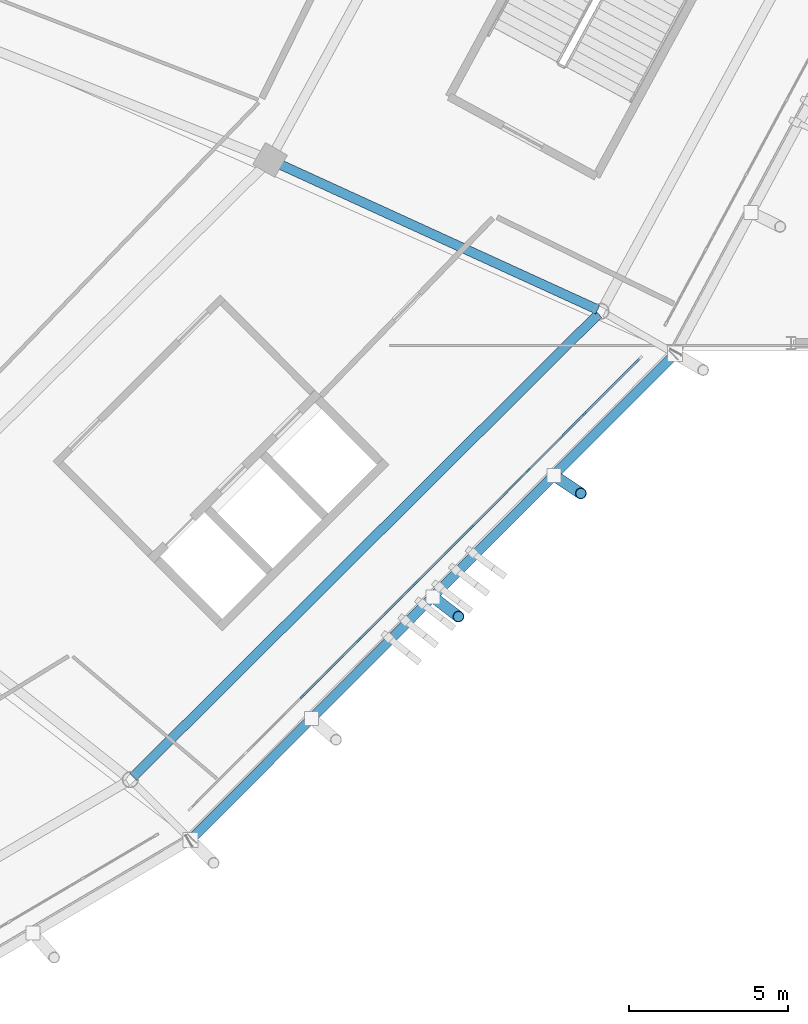
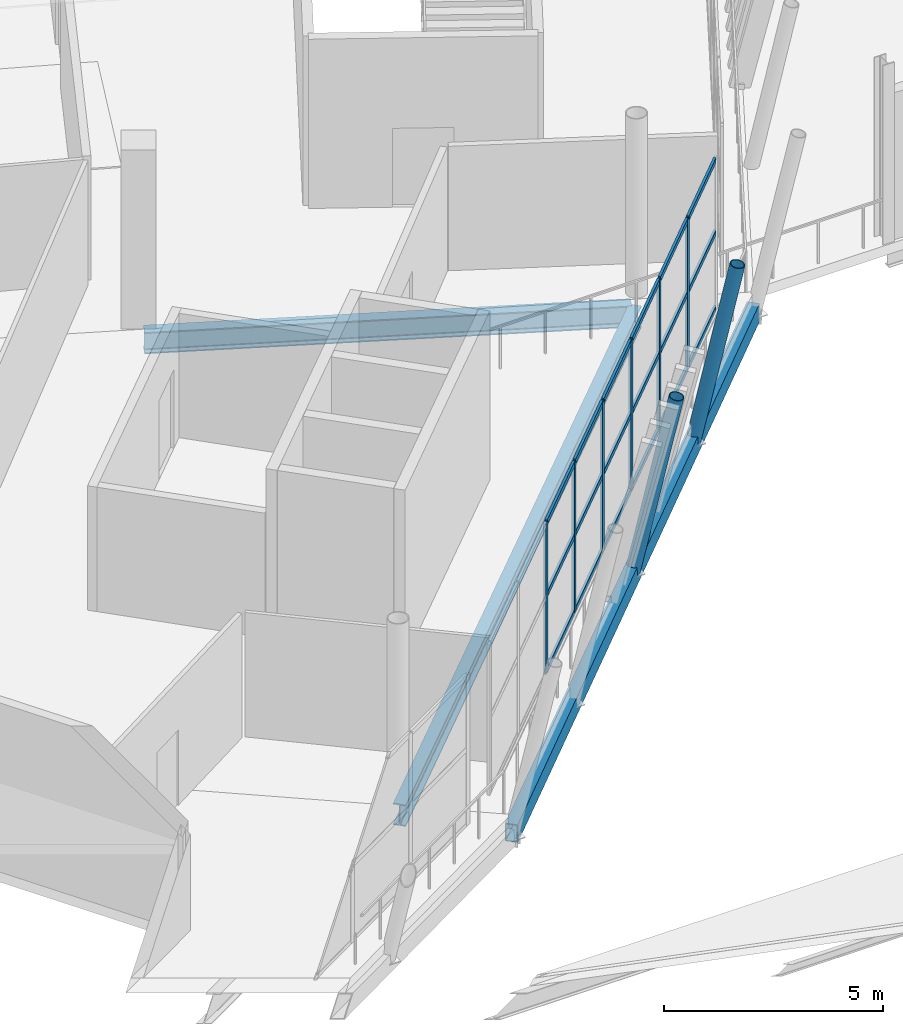
# One storey, part 57 of 179: 26 members, 3 beams, 1 element without a shape of its own.
"""IFC4 building model written with IfcOpenShell, lengths in metres."""

import ifcopenshell
import ifcopenshell.guid

model = None  # the IFC model being written
_history = None  # IfcOwnerHistory: only IFC2X3 demands one
_inside = {}  # id of a spatial element -> (the spatial element, [elements in it])
_under = {}  # id of a project, library or spatial element -> (it, [spatial elements below it])
_declared = {}  # id of a project -> (the project, [libraries it declares])
_typed = {}  # id of a type object -> (the type object, [elements of that type])
_made_of = {}  # id of a material, layer set ... -> (it, [elements and type objects made of it])


def new_model(schema):
    """Start an empty IFC model of exactly this schema.

    Asked for "IFC4X3", IfcOpenShell would pick the latest addendum, in which some entities
    have other attributes; the version numbers below select the first issue.
    IFC2X3 requires an IfcOwnerHistory on every rooted entity: one is made here for all.
    """
    global model, _history
    if schema == "IFC4X3":
        model = ifcopenshell.file(schema_version=(4, 3, 0, 0))
    else:
        model = ifcopenshell.file(schema=schema)
    _inside.clear()
    _under.clear()
    _declared.clear()
    _typed.clear()
    _made_of.clear()
    _history = None
    if model.schema == "IFC2X3":
        org = make("IfcOrganization", Name="unknown")
        user = make(
            "IfcPersonAndOrganization",
            ThePerson=make("IfcPerson", FamilyName="unknown"),
            TheOrganization=org,
        )
        app = make(
            "IfcApplication",
            ApplicationDeveloper=org,
            Version="unknown",
            ApplicationFullName="unknown",
            ApplicationIdentifier="unknown",
        )
        _history = make(
            "IfcOwnerHistory",
            OwningUser=user,
            OwningApplication=app,
            ChangeAction="ADDED",
            CreationDate=0,
        )
    return model


def make(cls, **values):
    """One entity of the class cls with the attributes given. An attribute that is None is left unset."""
    return model.create_entity(
        cls, **{name: value for name, value in values.items() if value is not None}
    )


def rooted(cls, **values):
    """An entity with a GlobalId (a new one), such as an element, a storey or a relation."""
    return make(cls, GlobalId=ifcopenshell.guid.new(), OwnerHistory=_history, **values)


def si_unit(unit_type, name, prefix=None):
    """IfcSIUnit, for example si_unit("LENGTHUNIT", "METRE", prefix="MILLI")."""
    return make("IfcSIUnit", UnitType=unit_type, Prefix=prefix, Name=name)


def assignment(units):
    """IfcUnitAssignment: the units of a project."""
    return None if units is None else make("IfcUnitAssignment", Units=units)


def point(xyz):
    """IfcCartesianPoint."""
    return None if xyz is None else make("IfcCartesianPoint", Coordinates=xyz)


def direction(xyz):
    """IfcDirection."""
    return None if xyz is None else make("IfcDirection", DirectionRatios=xyz)


def frame(location, z_axis=None, x_axis=None):
    """IfcAxis2Placement3D, a coordinate frame: its origin and axes. An axis left out is left unset."""
    return make(
        "IfcAxis2Placement3D",
        Location=point(location),
        Axis=direction(z_axis),
        RefDirection=direction(x_axis),
    )


def frame_2d(location, x_axis=None):
    """IfcAxis2Placement2D, a coordinate frame in the plane: its origin and x axis."""
    return make(
        "IfcAxis2Placement2D", Location=point(location), RefDirection=direction(x_axis)
    )


def origin():
    """The frame at (0, 0, 0) with its axes left unset."""
    return frame((0.0, 0.0, 0.0))


def origin_2d():
    """The frame at (0, 0) in the plane with its x axis left unset."""
    return frame_2d((0.0, 0.0))


def place(relative_to, where):
    """IfcLocalPlacement: puts the frame where relative to a parent placement (None: the world)."""
    return make(
        "IfcLocalPlacement", PlacementRelTo=relative_to, RelativePlacement=where
    )


def context(
    kind, dimensions, precision=None, world=None, true_north=None, identifier=None
):
    """IfcGeometricRepresentationContext, for example the 3D "Model" context."""
    return make(
        "IfcGeometricRepresentationContext",
        ContextIdentifier=identifier,
        ContextType=kind,
        CoordinateSpaceDimension=dimensions,
        Precision=precision,
        WorldCoordinateSystem=world,
        TrueNorth=true_north,
    )


def subcontext(parent, identifier, kind, view, scale=None):
    """IfcGeometricRepresentationSubContext, for example "Body" below "Model"."""
    return make(
        "IfcGeometricRepresentationSubContext",
        ContextIdentifier=identifier,
        ContextType=kind,
        ParentContext=parent,
        TargetScale=scale,
        TargetView=view,
    )


def project(units=None, contexts=None):
    """IfcProject with its units and contexts."""
    return rooted(
        "IfcProject",
        Name="project",
        RepresentationContexts=contexts,
        UnitsInContext=assignment(units),
    )


def spatial(cls, under=None, at=None, **own):
    """A site, building, storey or space (cls), placed at a placement, below another one or the project."""
    s = rooted(cls, ObjectPlacement=at, **own)
    if under is not None:
        _under.setdefault(under.id(), (under, []))[1].append(s)
    return s


def profile(cls, at=None, kind="AREA", **sizes):
    """A parametric profile (cls). Its sizes go by their IFC names, for example OverallWidth=200.0."""
    return make(cls, ProfileType=kind, Position=at, **sizes)


def rectangle(**sizes):
    """IfcRectangleProfileDef."""
    return profile("IfcRectangleProfileDef", **sizes)


def hollow_rectangle(**sizes):
    """IfcRectangleHollowProfileDef."""
    return profile("IfcRectangleHollowProfileDef", **sizes)


def hollow_circle(**sizes):
    """IfcCircleHollowProfileDef."""
    return profile("IfcCircleHollowProfileDef", **sizes)


def i_section(**sizes):
    """IfcIShapeProfileDef."""
    return profile("IfcIShapeProfileDef", **sizes)


def extrude(swept, where, along, depth):
    """IfcExtrudedAreaSolid: the profile swept, set in the frame where, extruded along a direction by depth."""
    return make(
        "IfcExtrudedAreaSolid",
        SweptArea=swept,
        Position=where,
        ExtrudedDirection=direction(along),
        Depth=depth,
    )


def shape(context_of_items, identifier, shape_type, items):
    """IfcShapeRepresentation: the items that make up one representation, for example the "Body"."""
    return make(
        "IfcShapeRepresentation",
        ContextOfItems=context_of_items,
        RepresentationIdentifier=identifier,
        RepresentationType=shape_type,
        Items=items,
    )


def material(Name=None, Category=None):
    """IfcMaterial."""
    return make("IfcMaterial", Name=Name, Category=Category)


def material_profile(
    of_material, cross_section, Name=None, Category=None, Priority=None
):
    """IfcMaterialProfile: a cross section and its material."""
    return make(
        "IfcMaterialProfile",
        Name=Name,
        Material=of_material,
        Profile=cross_section,
        Priority=Priority,
        Category=Category,
    )


def profile_set(profiles, Name=None, composite=None):
    """IfcMaterialProfileSet."""
    return make(
        "IfcMaterialProfileSet",
        Name=Name,
        MaterialProfiles=profiles,
        CompositeProfile=composite,
    )


def made_of(thing, what):
    """Note that an element or type object is made of a material, layer set ...; save() writes the relation."""
    if what is not None:
        _made_of.setdefault(what.id(), (what, []))[1].append(thing)
    return thing


def type_object(cls, material=None, **own):
    """A type object (cls), such as IfcWallType, which elements share."""
    return made_of(rooted(cls, **own), material)


def element(
    cls,
    number,
    at=None,
    inside=None,
    cuts=None,
    type_object=None,
    material=None,
    context=None,
    identifier="Body",
    shape_type=None,
    held_by="IfcProductDefinitionShape",
    body=None,
    shapes=None,
    **own,
):
    """One element of the class cls, such as IfcWall. Its Tag is "e" and its number.

    at: its placement. inside: the storey or other place that contains it. cuts: it is an
    opening in that element (IfcRelVoidsElement). A single representation is given by context,
    identifier, shape_type and body (its items); several are given by shapes. held_by: the class
    of the entity that holds the representations. save() writes the other relations.
    """
    e = rooted(cls, Tag="e%d" % number, ObjectPlacement=at, **own)
    if body is not None:
        shapes = [shape(context, identifier, shape_type, body)]
    if shapes is not None:
        e.Representation = make(held_by, Representations=shapes)
    if inside is not None:
        _inside.setdefault(inside.id(), (inside, []))[1].append(e)
    if cuts is not None:
        rooted(
            "IfcRelVoidsElement", RelatingBuildingElement=cuts, RelatedOpeningElement=e
        )
    if type_object is not None:
        _typed.setdefault(type_object.id(), (type_object, []))[1].append(e)
    return made_of(e, material)


def aggregate(whole, parts):
    """IfcRelAggregates: a whole, such as a stair, and the parts it consists of."""
    return rooted("IfcRelAggregates", RelatingObject=whole, RelatedObjects=parts)


def save(model, path):
    """Write the relations noted so far, then the file.

    IfcRelAggregates (storeys below a building ...), IfcRelContainedInSpatialStructure (elements
    in a storey), IfcRelDefinesByType, IfcRelAssociatesMaterial and IfcRelDeclares: one each for
    every whole, place, type object, material and project.
    """
    for whole, parts in _under.values():
        aggregate(whole, parts)
    for where, things in _inside.values():
        rooted(
            "IfcRelContainedInSpatialStructure",
            RelatedElements=things,
            RelatingStructure=where,
        )
    for kind, things in _typed.values():
        rooted("IfcRelDefinesByType", RelatedObjects=things, RelatingType=kind)
    for what, things in _made_of.values():
        rooted("IfcRelAssociatesMaterial", RelatedObjects=things, RelatingMaterial=what)
    for by, libraries in _declared.values():
        rooted("IfcRelDeclares", RelatingContext=by, RelatedDefinitions=libraries)
    model.write(path)


model = new_model("IFC4")

# Units and contexts
model_context = context("Model", 3, precision=1e-05, world=origin(), true_north=direction((0.0, 1.0)))
body_context = subcontext(model_context, "Body", "Model", "MODEL_VIEW")
ifc_project = project(units=[si_unit("LENGTHUNIT", "METRE"), si_unit("AREAUNIT", "SQUARE_METRE"), si_unit("VOLUMEUNIT", "CUBIC_METRE"), si_unit("PLANEANGLEUNIT", "RADIAN"), si_unit("MASSUNIT", "GRAM", prefix="KILO")], contexts=[model_context])

# Site, building, storey
site_placement = place(None, origin())
site = spatial("IfcSite", under=ifc_project, at=site_placement, CompositionType="ELEMENT")
building_placement = place(site_placement, origin())
building = spatial("IfcBuilding", under=site, at=building_placement, Name="Zlatoyarsky Gate Stadium", CompositionType="ELEMENT")
storey_placement = place(building_placement, frame((0.0, 0.0, 10.60009765625)))
storey = spatial("IfcBuildingStorey", under=building, at=storey_placement, Name="L02", CompositionType="ELEMENT", Elevation=10.60009765625)

# Curtain wall, members
ifc_material_1 = material(Name="Thermally broken anodised aluminium curtain wall", Category="aluminium")
curtain_wall_type = type_object("IfcCurtainWallType", Name="UNITISED HOSPITALITY GLAZING L02", PredefinedType="USERDEFINED", material=ifc_material_1)
curtain_wall_placement = place(storey_placement, origin())
curtain_wall = element("IfcCurtainWall", 1, at=curtain_wall_placement, inside=storey, type_object=curtain_wall_type, Name="Curtain wall CW-L02-21", ObjectType="UNITISED GLAZING", PredefinedType="USERDEFINED")
ifc_material_2 = material(Name="Anodised aluminium 6063-T6", Category="aluminium")
ifc_material_profile_1 = material_profile(ifc_material_2, rectangle(XDim=0.06494140625, YDim=0.159912109375, at=origin_2d()), Name="ALU 65X160")
ifc_profile_set_1 = profile_set([ifc_material_profile_1], Name="Anodised aluminium 6063-T6")
member_type_1 = type_object("IfcMemberType", Name="ALUMINIUM MULLION 65X160", PredefinedType="MULLION", material=ifc_profile_set_1)
member_1_placement = place(storey_placement, frame((182.1611328125, 32.406494140625, 0.0), z_axis=(0.0, 0.0, 1.0), x_axis=(-0.707585188904, 0.706628049573, 0.0)))
member_1 = element("IfcMember", 2, at=member_1_placement, type_object=member_type_1, Name="CW-UG2 mullion 3", PredefinedType="MULLION", context=body_context, shape_type="SweptSolid", body=[
    extrude(rectangle(XDim=0.06494140625, YDim=0.159912109375, at=origin_2d()), origin(), (0.0, 0.0, 1.0), 4.199951171875),
])
member_2_placement = place(storey_placement, frame((183.932861328125, 34.180908203125, 0.0), z_axis=(0.0, 0.0, 1.0), x_axis=(-0.707585188904, 0.706628049573, 0.0)))
member_2 = element("IfcMember", 3, at=member_2_placement, type_object=member_type_1, Name="CW-UG2 mullion 4", PredefinedType="MULLION", context=body_context, shape_type="SweptSolid", body=[
    extrude(rectangle(XDim=0.06494140625, YDim=0.159912109375, at=origin_2d()), origin(), (0.0, 0.0, 1.0), 4.199951171875),
])
member_3_placement = place(storey_placement, frame((185.704833984375, 35.955078125, 0.0), z_axis=(0.0, 0.0, 1.0), x_axis=(-0.707585188904, 0.706628049573, 0.0)))
member_3 = element("IfcMember", 4, at=member_3_placement, type_object=member_type_1, Name="CW-UG2 mullion 5", PredefinedType="MULLION", context=body_context, shape_type="SweptSolid", body=[
    extrude(rectangle(XDim=0.06494140625, YDim=0.159912109375, at=origin_2d()), origin(), (0.0, 0.0, 1.0), 4.199951171875),
])
member_4_placement = place(storey_placement, frame((187.4765625, 37.729248046875, 0.0), z_axis=(0.0, 0.0, 1.0), x_axis=(-0.707585188904, 0.706628049573, 0.0)))
member_4 = element("IfcMember", 5, at=member_4_placement, type_object=member_type_1, Name="CW-UG2 mullion 6", PredefinedType="MULLION", context=body_context, shape_type="SweptSolid", body=[
    extrude(rectangle(XDim=0.06494140625, YDim=0.159912109375, at=origin_2d()), origin(), (0.0, 0.0, 1.0), 4.199951171875),
])
member_5_placement = place(storey_placement, frame((189.24853515625, 39.503662109375, 0.0), z_axis=(0.0, 0.0, 1.0), x_axis=(-0.707585188904, 0.706628049573, 0.0)))
member_5 = element("IfcMember", 6, at=member_5_placement, type_object=member_type_1, Name="CW-UG2 mullion 7", PredefinedType="MULLION", context=body_context, shape_type="SweptSolid", body=[
    extrude(rectangle(XDim=0.06494140625, YDim=0.159912109375, at=origin_2d()), origin(), (0.0, 0.0, 1.0), 4.199951171875),
])
member_6_placement = place(storey_placement, frame((191.020263671875, 41.27783203125, 0.0), z_axis=(0.0, 0.0, 1.0), x_axis=(-0.707585188904, 0.706628049573, 0.0)))
member_6 = element("IfcMember", 7, at=member_6_placement, type_object=member_type_1, Name="CW-UG2 mullion 8", PredefinedType="MULLION", context=body_context, shape_type="SweptSolid", body=[
    extrude(rectangle(XDim=0.06494140625, YDim=0.159912109375, at=origin_2d()), origin(), (0.0, 0.0, 1.0), 4.199951171875),
])
ifc_material_profile_2 = material_profile(ifc_material_2, rectangle(XDim=0.06494140625, YDim=0.139892578125, at=origin_2d()), Name="ALU 65X140")
ifc_profile_set_2 = profile_set([ifc_material_profile_2], Name="Anodised aluminium 6063-T6")
member_type_2 = type_object("IfcMemberType", Name="ALUMINIUM TRANSOM 65X140", PredefinedType="USERDEFINED", material=ifc_profile_set_2)
member_7_placement = place(storey_placement, frame((182.18408203125, 32.4296875, 0.032470703125), z_axis=(0.706606811932, 0.707606397181, 0.0), x_axis=(-0.707606397181, 0.706606811932, 0.0)))
member_7 = element("IfcMember", 8, at=member_7_placement, type_object=member_type_2, Name="CW-UG2 transom 3.1", ObjectType="TRANSOM", PredefinedType="USERDEFINED", context=body_context, shape_type="SweptSolid", body=[
    extrude(rectangle(XDim=0.06494140625, YDim=0.139892578125, at=origin_2d()), origin(), (0.0, 0.0, 1.0), 2.4423828125),
])
member_8_placement = place(storey_placement, frame((182.18408203125, 32.4296875, 2.14990234375), z_axis=(0.706606811932, 0.707606397181, 0.0), x_axis=(-0.707606397181, 0.706606811932, 0.0)))
member_8 = element("IfcMember", 9, at=member_8_placement, type_object=member_type_2, Name="CW-UG2 transom 3.2", ObjectType="TRANSOM", PredefinedType="USERDEFINED", context=body_context, shape_type="SweptSolid", body=[
    extrude(rectangle(XDim=0.06494140625, YDim=0.139892578125, at=origin_2d()), origin(), (0.0, 0.0, 1.0), 2.4423828125),
])
member_9_placement = place(storey_placement, frame((182.18408203125, 32.4296875, 4.16748046875), z_axis=(0.706606811932, 0.707606397181, 0.0), x_axis=(-0.707606397181, 0.706606811932, 0.0)))
member_9 = element("IfcMember", 10, at=member_9_placement, type_object=member_type_2, Name="CW-UG2 transom 3.3", ObjectType="TRANSOM", PredefinedType="USERDEFINED", context=body_context, shape_type="SweptSolid", body=[
    extrude(rectangle(XDim=0.06494140625, YDim=0.139892578125, at=origin_2d()), origin(), (0.0, 0.0, 1.0), 2.4423828125),
])
member_10_placement = place(storey_placement, frame((183.955810546875, 34.203857421875, 0.032470703125), z_axis=(0.706656856545, 0.707556419728, 0.0), x_axis=(-0.707556419728, 0.706656856545, 0.0)))
member_10 = element("IfcMember", 11, at=member_10_placement, type_object=member_type_2, Name="CW-UG2 transom 4.1", ObjectType="TRANSOM", PredefinedType="USERDEFINED", context=body_context, shape_type="SweptSolid", body=[
    extrude(rectangle(XDim=0.06494140625, YDim=0.139892578125, at=origin_2d()), origin(), (0.0, 0.0, 1.0), 2.442626953125),
])
member_11_placement = place(storey_placement, frame((183.955810546875, 34.203857421875, 2.14990234375), z_axis=(0.706656856545, 0.707556419728, 0.0), x_axis=(-0.707556419728, 0.706656856545, 0.0)))
member_11 = element("IfcMember", 12, at=member_11_placement, type_object=member_type_2, Name="CW-UG2 transom 4.2", ObjectType="TRANSOM", PredefinedType="USERDEFINED", context=body_context, shape_type="SweptSolid", body=[
    extrude(rectangle(XDim=0.06494140625, YDim=0.139892578125, at=origin_2d()), origin(), (0.0, 0.0, 1.0), 2.442626953125),
])
member_12_placement = place(storey_placement, frame((183.955810546875, 34.203857421875, 4.16748046875), z_axis=(0.706656856545, 0.707556419728, 0.0), x_axis=(-0.707556419728, 0.706656856545, 0.0)))
member_12 = element("IfcMember", 13, at=member_12_placement, type_object=member_type_2, Name="CW-UG2 transom 4.3", ObjectType="TRANSOM", PredefinedType="USERDEFINED", context=body_context, shape_type="SweptSolid", body=[
    extrude(rectangle(XDim=0.06494140625, YDim=0.139892578125, at=origin_2d()), origin(), (0.0, 0.0, 1.0), 2.442626953125),
])
member_13_placement = place(storey_placement, frame((185.727783203125, 35.97802734375, 0.032470703125), z_axis=(0.706606811932, 0.707606397181, 0.0), x_axis=(-0.707606397181, 0.706606811932, 0.0)))
member_13 = element("IfcMember", 14, at=member_13_placement, type_object=member_type_2, Name="CW-UG2 transom 5.1", ObjectType="TRANSOM", PredefinedType="USERDEFINED", context=body_context, shape_type="SweptSolid", body=[
    extrude(rectangle(XDim=0.06494140625, YDim=0.139892578125, at=origin_2d()), origin(), (0.0, 0.0, 1.0), 2.4423828125),
])
member_14_placement = place(storey_placement, frame((185.727783203125, 35.97802734375, 2.14990234375), z_axis=(0.706606811932, 0.707606397181, 0.0), x_axis=(-0.707606397181, 0.706606811932, 0.0)))
member_14 = element("IfcMember", 15, at=member_14_placement, type_object=member_type_2, Name="CW-UG2 transom 5.2", ObjectType="TRANSOM", PredefinedType="USERDEFINED", context=body_context, shape_type="SweptSolid", body=[
    extrude(rectangle(XDim=0.06494140625, YDim=0.139892578125, at=origin_2d()), origin(), (0.0, 0.0, 1.0), 2.4423828125),
])
member_15_placement = place(storey_placement, frame((185.727783203125, 35.97802734375, 4.16748046875), z_axis=(0.706606811932, 0.707606397181, 0.0), x_axis=(-0.707606397181, 0.706606811932, 0.0)))
member_15 = element("IfcMember", 16, at=member_15_placement, type_object=member_type_2, Name="CW-UG2 transom 5.3", ObjectType="TRANSOM", PredefinedType="USERDEFINED", context=body_context, shape_type="SweptSolid", body=[
    extrude(rectangle(XDim=0.06494140625, YDim=0.139892578125, at=origin_2d()), origin(), (0.0, 0.0, 1.0), 2.4423828125),
])
member_16_placement = place(storey_placement, frame((187.49951171875, 37.75244140625, 0.032470703125), z_axis=(0.706656856545, 0.707556419728, 0.0), x_axis=(-0.707556419728, 0.706656856545, 0.0)))
member_16 = element("IfcMember", 17, at=member_16_placement, type_object=member_type_2, Name="CW-UG2 transom 6.1", ObjectType="TRANSOM", PredefinedType="USERDEFINED", context=body_context, shape_type="SweptSolid", body=[
    extrude(rectangle(XDim=0.06494140625, YDim=0.139892578125, at=origin_2d()), origin(), (0.0, 0.0, 1.0), 2.442626953125),
])
member_17_placement = place(storey_placement, frame((187.49951171875, 37.75244140625, 2.14990234375), z_axis=(0.706656856545, 0.707556419728, 0.0), x_axis=(-0.707556419728, 0.706656856545, 0.0)))
member_17 = element("IfcMember", 18, at=member_17_placement, type_object=member_type_2, Name="CW-UG2 transom 6.2", ObjectType="TRANSOM", PredefinedType="USERDEFINED", context=body_context, shape_type="SweptSolid", body=[
    extrude(rectangle(XDim=0.06494140625, YDim=0.139892578125, at=origin_2d()), origin(), (0.0, 0.0, 1.0), 2.442626953125),
])
member_18_placement = place(storey_placement, frame((187.49951171875, 37.75244140625, 4.16748046875), z_axis=(0.706656856545, 0.707556419728, 0.0), x_axis=(-0.707556419728, 0.706656856545, 0.0)))
member_18 = element("IfcMember", 19, at=member_18_placement, type_object=member_type_2, Name="CW-UG2 transom 6.3", ObjectType="TRANSOM", PredefinedType="USERDEFINED", context=body_context, shape_type="SweptSolid", body=[
    extrude(rectangle(XDim=0.06494140625, YDim=0.139892578125, at=origin_2d()), origin(), (0.0, 0.0, 1.0), 2.442626953125),
])
member_19_placement = place(storey_placement, frame((189.271484375, 39.526611328125, 0.032470703125), z_axis=(0.706606811932, 0.707606397181, 0.0), x_axis=(-0.707606397181, 0.706606811932, 0.0)))
member_19 = element("IfcMember", 20, at=member_19_placement, type_object=member_type_2, Name="CW-UG2 transom 7.1", ObjectType="TRANSOM", PredefinedType="USERDEFINED", context=body_context, shape_type="SweptSolid", body=[
    extrude(rectangle(XDim=0.06494140625, YDim=0.139892578125, at=origin_2d()), origin(), (0.0, 0.0, 1.0), 2.4423828125),
])
member_20_placement = place(storey_placement, frame((189.271484375, 39.526611328125, 2.14990234375), z_axis=(0.706606811932, 0.707606397181, 0.0), x_axis=(-0.707606397181, 0.706606811932, 0.0)))
member_20 = element("IfcMember", 21, at=member_20_placement, type_object=member_type_2, Name="CW-UG2 transom 7.2", ObjectType="TRANSOM", PredefinedType="USERDEFINED", context=body_context, shape_type="SweptSolid", body=[
    extrude(rectangle(XDim=0.06494140625, YDim=0.139892578125, at=origin_2d()), origin(), (0.0, 0.0, 1.0), 2.4423828125),
])
member_21_placement = place(storey_placement, frame((189.271484375, 39.526611328125, 4.16748046875), z_axis=(0.706606811932, 0.707606397181, 0.0), x_axis=(-0.707606397181, 0.706606811932, 0.0)))
member_21 = element("IfcMember", 22, at=member_21_placement, type_object=member_type_2, Name="CW-UG2 transom 7.3", ObjectType="TRANSOM", PredefinedType="USERDEFINED", context=body_context, shape_type="SweptSolid", body=[
    extrude(rectangle(XDim=0.06494140625, YDim=0.139892578125, at=origin_2d()), origin(), (0.0, 0.0, 1.0), 2.4423828125),
])
member_22_placement = place(storey_placement, frame((191.043212890625, 41.30078125, 0.032470703125), z_axis=(0.706650795872, 0.707562472644, 0.0), x_axis=(-0.707562472644, 0.706650795872, 0.0)))
member_22 = element("IfcMember", 23, at=member_22_placement, type_object=member_type_2, Name="CW-UG2 transom 8.1", ObjectType="TRANSOM", PredefinedType="USERDEFINED", context=body_context, shape_type="SweptSolid", body=[
    extrude(rectangle(XDim=0.06494140625, YDim=0.139892578125, at=origin_2d()), origin(), (0.0, 0.0, 1.0), 2.41015625),
])
member_23_placement = place(storey_placement, frame((191.043212890625, 41.30078125, 2.14990234375), z_axis=(0.706650795872, 0.707562472644, 0.0), x_axis=(-0.707562472644, 0.706650795872, 0.0)))
member_23 = element("IfcMember", 24, at=member_23_placement, type_object=member_type_2, Name="CW-UG2 transom 8.2", ObjectType="TRANSOM", PredefinedType="USERDEFINED", context=body_context, shape_type="SweptSolid", body=[
    extrude(rectangle(XDim=0.06494140625, YDim=0.139892578125, at=origin_2d()), origin(), (0.0, 0.0, 1.0), 2.41015625),
])
member_24_placement = place(storey_placement, frame((191.043212890625, 41.30078125, 4.16748046875), z_axis=(0.706650795872, 0.707562472644, 0.0), x_axis=(-0.707562472644, 0.706650795872, 0.0)))
member_24 = element("IfcMember", 25, at=member_24_placement, type_object=member_type_2, Name="CW-UG2 transom 8.3", ObjectType="TRANSOM", PredefinedType="USERDEFINED", context=body_context, shape_type="SweptSolid", body=[
    extrude(rectangle(XDim=0.06494140625, YDim=0.139892578125, at=origin_2d()), origin(), (0.0, 0.0, 1.0), 2.41015625),
])
aggregate(curtain_wall, [member_1, member_2, member_3, member_4, member_5, member_6, member_7, member_8, member_9, member_10, member_11, member_12, member_13, member_14, member_15, member_16, member_17, member_18, member_19, member_20, member_21, member_22, member_23, member_24])

# Members
ifc_material_3 = material(Name="Steel S355", Category="steel")
ifc_material_profile_3 = material_profile(ifc_material_3, hollow_circle(Radius=0.177734375, WallThickness=0.02001953125, at=origin_2d()), Name="CHS 355.6X20")
ifc_profile_set_3 = profile_set([ifc_material_profile_3], Name="Steel S355")
member_type_3 = type_object("IfcMemberType", Name="STEEL LEANING RIB RING STRUT CHS 355.6X20", PredefinedType="STRUT", material=ifc_profile_set_3)
member_25_placement = place(storey_placement, frame((186.25537109375, 35.53271484375, -0.530029296875), z_axis=(0.158230010468, -0.121435671777, 0.979906445232), x_axis=(0.608829317837, 0.793301242746, 0.0)))
element("IfcMember", 26, at=member_25_placement, inside=storey, type_object=member_type_3, Name="Outward-leaning bowl louvre fin rib L02 21-2", PredefinedType="STRUT", context=body_context, shape_type="SweptSolid", body=[
    extrude(hollow_circle(Radius=0.177734375, WallThickness=0.02001953125, at=origin_2d()), origin(), (0.0, 0.0, 1.0), 5.1025390625),
])
member_26_placement = place(storey_placement, frame((190.056640625, 39.347412109375, -0.530029296875), z_axis=(0.166206497917, -0.110995703848, 0.979824144312), x_axis=(0.555362920217, 0.831608096911, 0.0)))
element("IfcMember", 27, at=member_26_placement, inside=storey, type_object=member_type_3, Name="Outward-leaning bowl louvre fin rib L02 21-3", PredefinedType="STRUT", context=body_context, shape_type="SweptSolid", body=[
    extrude(hollow_circle(Radius=0.177734375, WallThickness=0.02001953125, at=origin_2d()), origin(), (0.0, 0.0, 1.0), 5.10302734375),
])

# Beams
ifc_material_profile_4 = material_profile(ifc_material_3, hollow_rectangle(XDim=0.300048828125, YDim=0.5, WallThickness=0.02001953125, at=origin_2d()), Name="RHS 500X300X20")
ifc_profile_set_4 = profile_set([ifc_material_profile_4], Name="Steel S355")
beam_type_1 = type_object("IfcBeamType", Name="STEEL LOUVRE CARRIER SPANDREL RHS 500X300X20", PredefinedType="SPANDREL", material=ifc_profile_set_4)
beam_1_placement = place(storey_placement, frame((178.667236328125, 27.91748046875, -0.530029296875), z_axis=(0.705856635508, 0.708354720539, 0.0), x_axis=(-0.708354720539, 0.705856635508, 0.0)))
element("IfcBeam", 28, at=beam_1_placement, inside=storey, type_object=beam_type_1, Name="Beam SP-RHS500 BM-L02-SPD-21", PredefinedType="SPANDREL", context=body_context, shape_type="SweptSolid", body=[
    extrude(hollow_rectangle(XDim=0.300048828125, YDim=0.5, WallThickness=0.02001953125, at=origin_2d()), origin(), (0.0, 0.0, 1.0), 21.500732421875),
])
ifc_material_profile_5 = material_profile(ifc_material_3, i_section(OverallWidth=0.300048828125, OverallDepth=0.60009765625, WebThickness=0.015380859375, FlangeThickness=0.030029296875, FilletRadius=0.027099609375, at=origin_2d()), Name="HEB 600")
ifc_profile_set_5 = profile_set([ifc_material_profile_5], Name="Steel S355")
beam_type_2 = type_object("IfcBeamType", Name="STEEL PRIMARY GIRDER HEB 600", PredefinedType="BEAM", material=ifc_profile_set_5)
beam_2_placement = place(storey_placement, frame((176.845947265625, 29.8798828125, -0.580078125), z_axis=(0.708899260134, 0.705309746835, 0.0), x_axis=(-0.705309746835, 0.708899260134, 0.0)))
element("IfcBeam", 29, at=beam_2_placement, inside=storey, type_object=beam_type_2, Name="Beam G-HEB600 BM-L02-CRC-21", PredefinedType="BEAM", context=body_context, shape_type="SweptSolid", body=[
    extrude(i_section(OverallWidth=0.300048828125, OverallDepth=0.60009765625, WebThickness=0.015380859375, FlangeThickness=0.030029296875, FilletRadius=0.027099609375, at=origin_2d()), origin(), (0.0, 0.0, 1.0), 20.608642578125),
])
beam_3_placement = place(storey_placement, frame((181.257080078125, 49.2001953125, -0.580078125), z_axis=(0.909498994842, -0.415706120213, 0.0), x_axis=(0.415706120213, 0.909498994842, 0.0)))
element("IfcBeam", 30, at=beam_3_placement, inside=storey, type_object=beam_type_2, Name="Beam G-HEB600 BM-L02-RBC-22", PredefinedType="BEAM", context=body_context, shape_type="SweptSolid", body=[
    extrude(i_section(OverallWidth=0.300048828125, OverallDepth=0.60009765625, WebThickness=0.015380859375, FlangeThickness=0.030029296875, FilletRadius=0.027099609375, at=origin_2d()), origin(), (0.0, 0.0, 1.0), 11.186767578125),
])

save(model, "model.ifc")
